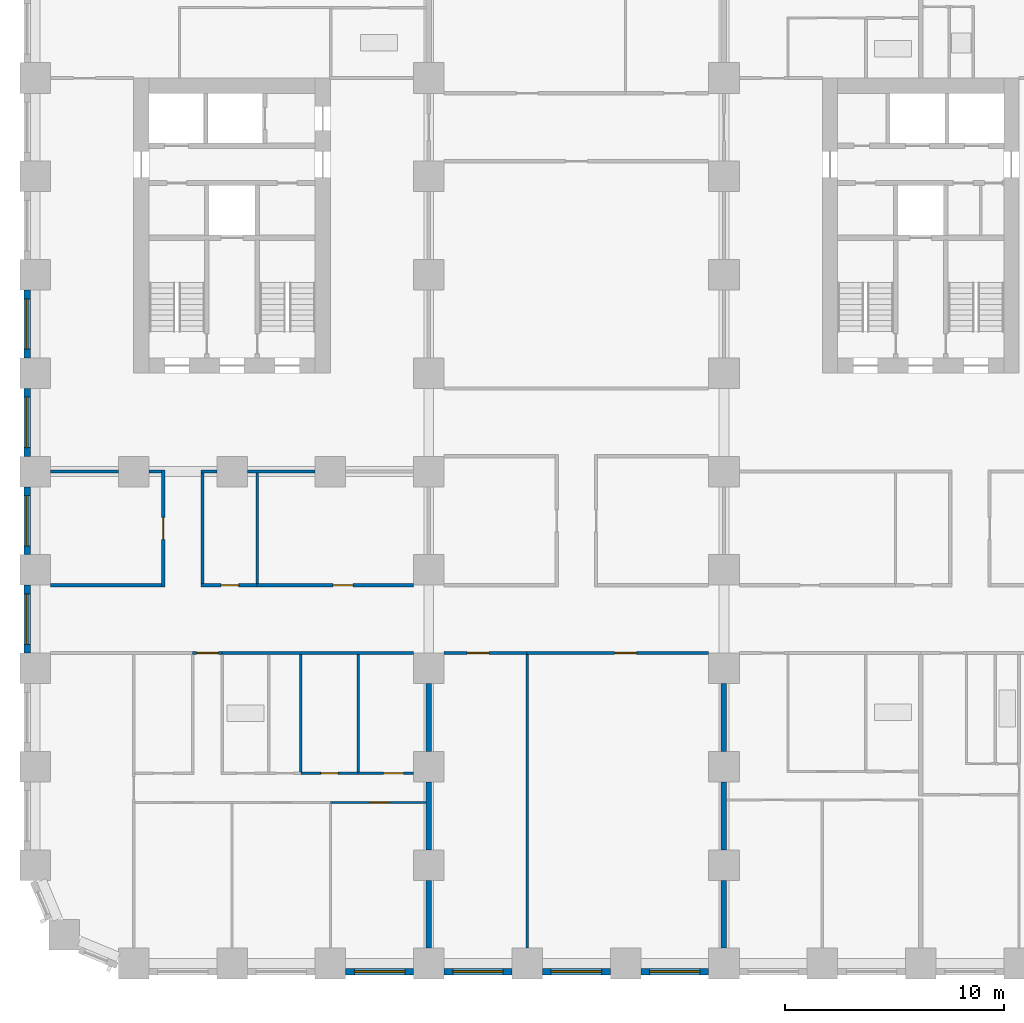
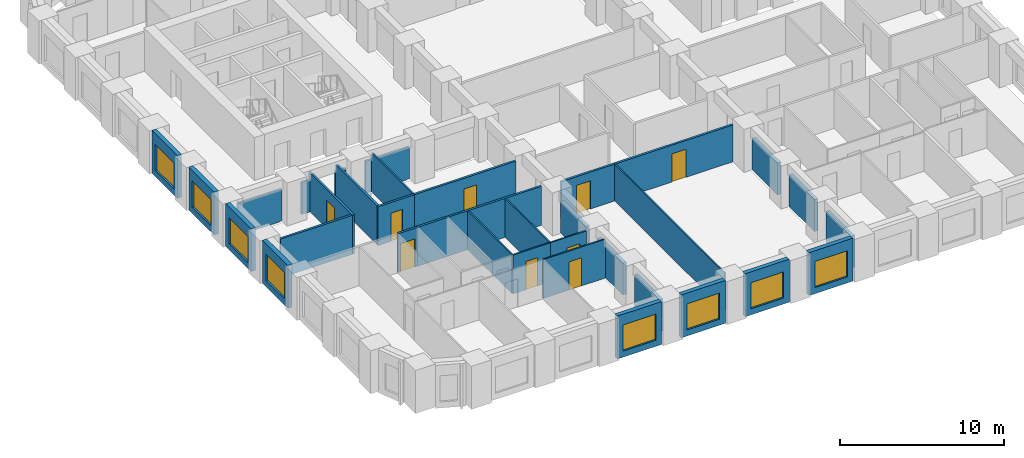
# One storey, part 3 of 12: 34 walls, 9 doors, 8 windows, 17 openings.
"""IFC4 building model written with IfcOpenShell, lengths in metres."""

import ifcopenshell
import ifcopenshell.guid

model = None  # the IFC model being written
_history = None  # IfcOwnerHistory: only IFC2X3 demands one
_inside = {}  # id of a spatial element -> (the spatial element, [elements in it])
_under = {}  # id of a project, library or spatial element -> (it, [spatial elements below it])
_declared = {}  # id of a project -> (the project, [libraries it declares])
_typed = {}  # id of a type object -> (the type object, [elements of that type])
_made_of = {}  # id of a material, layer set ... -> (it, [elements and type objects made of it])


def new_model(schema):
    """Start an empty IFC model of exactly this schema.

    Asked for "IFC4X3", IfcOpenShell would pick the latest addendum, in which some entities
    have other attributes; the version numbers below select the first issue.
    IFC2X3 requires an IfcOwnerHistory on every rooted entity: one is made here for all.
    """
    global model, _history
    if schema == "IFC4X3":
        model = ifcopenshell.file(schema_version=(4, 3, 0, 0))
    else:
        model = ifcopenshell.file(schema=schema)
    _inside.clear()
    _under.clear()
    _declared.clear()
    _typed.clear()
    _made_of.clear()
    _history = None
    if model.schema == "IFC2X3":
        org = make("IfcOrganization", Name="unknown")
        user = make(
            "IfcPersonAndOrganization",
            ThePerson=make("IfcPerson", FamilyName="unknown"),
            TheOrganization=org,
        )
        app = make(
            "IfcApplication",
            ApplicationDeveloper=org,
            Version="unknown",
            ApplicationFullName="unknown",
            ApplicationIdentifier="unknown",
        )
        _history = make(
            "IfcOwnerHistory",
            OwningUser=user,
            OwningApplication=app,
            ChangeAction="ADDED",
            CreationDate=0,
        )
    return model


def make(cls, **values):
    """One entity of the class cls with the attributes given. An attribute that is None is left unset."""
    return model.create_entity(
        cls, **{name: value for name, value in values.items() if value is not None}
    )


def rooted(cls, **values):
    """An entity with a GlobalId (a new one), such as an element, a storey or a relation."""
    return make(cls, GlobalId=ifcopenshell.guid.new(), OwnerHistory=_history, **values)


def si_unit(unit_type, name, prefix=None):
    """IfcSIUnit, for example si_unit("LENGTHUNIT", "METRE", prefix="MILLI")."""
    return make("IfcSIUnit", UnitType=unit_type, Prefix=prefix, Name=name)


def assignment(units):
    """IfcUnitAssignment: the units of a project."""
    return None if units is None else make("IfcUnitAssignment", Units=units)


def point(xyz):
    """IfcCartesianPoint."""
    return None if xyz is None else make("IfcCartesianPoint", Coordinates=xyz)


def direction(xyz):
    """IfcDirection."""
    return None if xyz is None else make("IfcDirection", DirectionRatios=xyz)


def frame(location, z_axis=None, x_axis=None):
    """IfcAxis2Placement3D, a coordinate frame: its origin and axes. An axis left out is left unset."""
    return make(
        "IfcAxis2Placement3D",
        Location=point(location),
        Axis=direction(z_axis),
        RefDirection=direction(x_axis),
    )


def frame_2d(location, x_axis=None):
    """IfcAxis2Placement2D, a coordinate frame in the plane: its origin and x axis."""
    return make(
        "IfcAxis2Placement2D", Location=point(location), RefDirection=direction(x_axis)
    )


def origin():
    """The frame at (0, 0, 0) with its axes left unset."""
    return frame((0.0, 0.0, 0.0))


def place(relative_to, where):
    """IfcLocalPlacement: puts the frame where relative to a parent placement (None: the world)."""
    return make(
        "IfcLocalPlacement", PlacementRelTo=relative_to, RelativePlacement=where
    )


def context(
    kind, dimensions, precision=None, world=None, true_north=None, identifier=None
):
    """IfcGeometricRepresentationContext, for example the 3D "Model" context."""
    return make(
        "IfcGeometricRepresentationContext",
        ContextIdentifier=identifier,
        ContextType=kind,
        CoordinateSpaceDimension=dimensions,
        Precision=precision,
        WorldCoordinateSystem=world,
        TrueNorth=true_north,
    )


def subcontext(parent, identifier, kind, view, scale=None):
    """IfcGeometricRepresentationSubContext, for example "Body" below "Model"."""
    return make(
        "IfcGeometricRepresentationSubContext",
        ContextIdentifier=identifier,
        ContextType=kind,
        ParentContext=parent,
        TargetScale=scale,
        TargetView=view,
    )


def project(units=None, contexts=None):
    """IfcProject with its units and contexts."""
    return rooted(
        "IfcProject",
        Name="project",
        RepresentationContexts=contexts,
        UnitsInContext=assignment(units),
    )


def spatial(cls, under=None, at=None, **own):
    """A site, building, storey or space (cls), placed at a placement, below another one or the project."""
    s = rooted(cls, ObjectPlacement=at, **own)
    if under is not None:
        _under.setdefault(under.id(), (under, []))[1].append(s)
    return s


def profile(cls, at=None, kind="AREA", **sizes):
    """A parametric profile (cls). Its sizes go by their IFC names, for example OverallWidth=200.0."""
    return make(cls, ProfileType=kind, Position=at, **sizes)


def rectangle(**sizes):
    """IfcRectangleProfileDef."""
    return profile("IfcRectangleProfileDef", **sizes)


def extrude(swept, where, along, depth):
    """IfcExtrudedAreaSolid: the profile swept, set in the frame where, extruded along a direction by depth."""
    return make(
        "IfcExtrudedAreaSolid",
        SweptArea=swept,
        Position=where,
        ExtrudedDirection=direction(along),
        Depth=depth,
    )


def shape(context_of_items, identifier, shape_type, items):
    """IfcShapeRepresentation: the items that make up one representation, for example the "Body"."""
    return make(
        "IfcShapeRepresentation",
        ContextOfItems=context_of_items,
        RepresentationIdentifier=identifier,
        RepresentationType=shape_type,
        Items=items,
    )


def material(Name=None, Category=None):
    """IfcMaterial."""
    return make("IfcMaterial", Name=Name, Category=Category)


def layer(
    of_material, thickness, ventilated=None, Name=None, Category=None, Priority=None
):
    """IfcMaterialLayer: one layer of a wall or slab, of a material (None: an air gap)."""
    return make(
        "IfcMaterialLayer",
        Material=of_material,
        LayerThickness=thickness,
        IsVentilated=ventilated,
        Name=Name,
        Category=Category,
        Priority=Priority,
    )


def layer_set(layers, Name=None):
    """IfcMaterialLayerSet."""
    return make("IfcMaterialLayerSet", MaterialLayers=layers, LayerSetName=Name)


def made_of(thing, what):
    """Note that an element or type object is made of a material, layer set ...; save() writes the relation."""
    if what is not None:
        _made_of.setdefault(what.id(), (what, []))[1].append(thing)
    return thing


def type_object(cls, material=None, **own):
    """A type object (cls), such as IfcWallType, which elements share."""
    return made_of(rooted(cls, **own), material)


def element(
    cls,
    number,
    at=None,
    inside=None,
    cuts=None,
    type_object=None,
    material=None,
    context=None,
    identifier="Body",
    shape_type=None,
    held_by="IfcProductDefinitionShape",
    body=None,
    shapes=None,
    **own,
):
    """One element of the class cls, such as IfcWall. Its Tag is "e" and its number.

    at: its placement. inside: the storey or other place that contains it. cuts: it is an
    opening in that element (IfcRelVoidsElement). A single representation is given by context,
    identifier, shape_type and body (its items); several are given by shapes. held_by: the class
    of the entity that holds the representations. save() writes the other relations.
    """
    e = rooted(cls, Tag="e%d" % number, ObjectPlacement=at, **own)
    if body is not None:
        shapes = [shape(context, identifier, shape_type, body)]
    if shapes is not None:
        e.Representation = make(held_by, Representations=shapes)
    if inside is not None:
        _inside.setdefault(inside.id(), (inside, []))[1].append(e)
    if cuts is not None:
        rooted(
            "IfcRelVoidsElement", RelatingBuildingElement=cuts, RelatedOpeningElement=e
        )
    if type_object is not None:
        _typed.setdefault(type_object.id(), (type_object, []))[1].append(e)
    return made_of(e, material)


def fill(opening, filler):
    """IfcRelFillsElement: the door or window that sits in an opening."""
    return rooted(
        "IfcRelFillsElement",
        RelatingOpeningElement=opening,
        RelatedBuildingElement=filler,
    )


def aggregate(whole, parts):
    """IfcRelAggregates: a whole, such as a stair, and the parts it consists of."""
    return rooted("IfcRelAggregates", RelatingObject=whole, RelatedObjects=parts)


def save(model, path):
    """Write the relations noted so far, then the file.

    IfcRelAggregates (storeys below a building ...), IfcRelContainedInSpatialStructure (elements
    in a storey), IfcRelDefinesByType, IfcRelAssociatesMaterial and IfcRelDeclares: one each for
    every whole, place, type object, material and project.
    """
    for whole, parts in _under.values():
        aggregate(whole, parts)
    for where, things in _inside.values():
        rooted(
            "IfcRelContainedInSpatialStructure",
            RelatedElements=things,
            RelatingStructure=where,
        )
    for kind, things in _typed.values():
        rooted("IfcRelDefinesByType", RelatedObjects=things, RelatingType=kind)
    for what, things in _made_of.values():
        rooted("IfcRelAssociatesMaterial", RelatedObjects=things, RelatingMaterial=what)
    for by, libraries in _declared.values():
        rooted("IfcRelDeclares", RelatingContext=by, RelatedDefinitions=libraries)
    model.write(path)


model = new_model("IFC4")

# Units and contexts
model_context = context("Model", 3, precision=1e-05, world=origin(), true_north=direction((0.0, 1.0)))
body_context = subcontext(model_context, "Body", "Model", "MODEL_VIEW")
ifc_project = project(units=[si_unit("LENGTHUNIT", "METRE"), si_unit("AREAUNIT", "SQUARE_METRE"), si_unit("VOLUMEUNIT", "CUBIC_METRE"), si_unit("PLANEANGLEUNIT", "RADIAN"), si_unit("MASSUNIT", "GRAM", prefix="KILO")], contexts=[model_context])

# Site, building, storey
site_placement = place(None, origin())
site = spatial("IfcSite", under=ifc_project, at=site_placement, CompositionType="ELEMENT")
building_placement = place(site_placement, origin())
building = spatial("IfcBuilding", under=site, at=building_placement, Name="Girih Gate Residences", CompositionType="ELEMENT")
storey_placement = place(building_placement, frame((0.0, 0.0, 65.60009765625)))
storey = spatial("IfcBuildingStorey", under=building, at=storey_placement, Name="L17", CompositionType="ELEMENT", Elevation=65.60009765625)

# Walls
ifc_material_1 = material(Name="Gypsum board on steel studs", Category="steel")
ifc_layer_1 = layer(ifc_material_1, 0.25)
ifc_layer_set_1 = layer_set([ifc_layer_1], Name="Acoustic separating wall 250 mm")
wall_type_1 = type_object("IfcWallType", Name="Acoustic separating wall 250 mm", PredefinedType="PARTITIONING", material=ifc_layer_set_1)
for number, where, z_axis, x_axis, name in (
    (1, (18.0, 5.199951171875, 0.0), (0.0, 0.0, 1.0), (0.0, 1.0, 0.0), "L17 partition"),
    (2, (18.0, 0.699951171875, 0.0), (0.0, 0.0, 1.0), (0.0, 1.0, 0.0), "L17 partition"),
    (3, (18.0, 9.699951171875, 0.0), (0.0, 0.0, 1.0), (0.0, 1.0, 0.0), "L17 partition"),
    (4, (31.5, 9.699951171875, 0.0), (0.0, 0.0, 1.0), (0.0, 1.0, 0.0), "L17 partition"),
    (5, (31.5, 0.699951171875, 0.0), (0.0, 0.0, 1.0), (0.0, 1.0, 0.0), "L17 partition"),
    (6, (31.5, 5.199951171875, 0.0), (0.0, 0.0, 1.0), (0.0, 1.0, 0.0), "L17 partition"),
):
    element("IfcWall", number, at=place(storey_placement, frame(where, z_axis=z_axis, x_axis=x_axis)), inside=storey, type_object=wall_type_1, Name=name, PredefinedType="PARTITIONING", context=body_context, shape_type="SweptSolid", body=[
        extrude(rectangle(XDim=3.10009765625, YDim=0.25, at=frame_2d((1.550048828125, 0.0))), origin(), (0.0, 0.0, 1.0), 2.3798828125),
    ])
ifc_layer_2 = layer(ifc_material_1, 0.14990234375)
ifc_layer_set_2 = layer_set([ifc_layer_2], Name="Compartment wall 150 mm")
wall_type_2 = type_object("IfcWallType", Name="Compartment wall 150 mm", PredefinedType="PARTITIONING", material=ifc_layer_set_2)
wall_1_placement = place(storey_placement, frame((8.550048828125, 14.199951171875, 0.0), z_axis=(0.0, 0.0, 1.0), x_axis=(1.0, 0.0, 0.0)))
element("IfcWall", 7, at=wall_1_placement, inside=storey, type_object=wall_type_2, Name="L17 partition", PredefinedType="PARTITIONING", context=body_context, shape_type="SweptSolid", body=[
    extrude(rectangle(XDim=8.75, YDim=0.14990234375, at=frame_2d((4.375, 0.0))), origin(), (0.0, 0.0, 1.0), 2.89990234375),
])

# Wall, opening, door
wall_2_placement = place(storey_placement, frame((8.550048828125, 14.199951171875, 0.0), z_axis=(0.0, 0.0, 1.0), x_axis=(-1.0, 0.0, 0.0)))
wall_2 = element("IfcWall", 8, at=wall_2_placement, inside=storey, type_object=wall_type_2, Name="L17 partition", PredefinedType="PARTITIONING", context=body_context, shape_type="SweptSolid", body=[
    extrude(rectangle(XDim=1.35009765625, YDim=0.14990234375, at=frame_2d((0.675048828125, 0.0))), origin(), (0.0, 0.0, 1.0), 2.89990234375),
])
opening_1_placement = place(wall_2_placement, frame((0.175048828125, 0.0, 0.0)))
opening_1 = element("IfcOpeningElement", 9, at=opening_1_placement, cuts=wall_2, Name="Opening A17-010", PredefinedType="OPENING", context=body_context, shape_type="SweptSolid", body=[
    extrude(rectangle(XDim=1.0, YDim=2.10009765625, at=frame_2d((0.5, 1.050048828125))), frame((0.0, 0.0849609375, 0.0), z_axis=(0.0, -1.0, 0.0), x_axis=(1.0, 0.0, 0.0)), (0.0, 0.0, 1.0), 0.169921875),
])
ifc_material_2 = material(Name="Timber, fire-rated core", Category="wood")
door_type_1 = type_object("IfcDoorType", Name="Flat entrance door 1000x2100 FD30S", OperationType="NOTDEFINED", PredefinedType="DOOR", material=ifc_material_2)
door_1_placement = place(opening_1_placement, origin())
door_1 = element("IfcDoor", 10, at=door_1_placement, inside=storey, type_object=door_type_1, Name="Door A17-010", OperationType="SINGLE_SWING_RIGHT", OverallHeight=2.10009765625, OverallWidth=1.0, PredefinedType="DOOR", context=body_context, shape_type="SweptSolid", body=[
    extrude(rectangle(XDim=1.0, YDim=2.10009765625, at=frame_2d((0.5, 1.050048828125))), frame((0.0, 0.02490234375, 0.0), z_axis=(0.0, -1.0, 0.0), x_axis=(1.0, 0.0, 0.0)), (0.0, 0.0, 1.0), 0.050048828125),
])
fill(opening_1, door_1)

wall_3_placement = place(storey_placement, frame((22.5, 14.199951171875, 0.0), z_axis=(0.0, 0.0, 1.0), x_axis=(-1.0, 0.0, 0.0)))
wall_3 = element("IfcWall", 11, at=wall_3_placement, inside=storey, type_object=wall_type_2, Name="L17 partition", PredefinedType="PARTITIONING", context=body_context, shape_type="SweptSolid", body=[
    extrude(rectangle(XDim=3.800048828125, YDim=0.14990234375, at=frame_2d((1.89990234375, 0.0))), origin(), (0.0, 0.0, 1.0), 2.75),
])
opening_2_placement = place(wall_3_placement, frame((1.75, 0.0, 0.0)))
opening_2 = element("IfcOpeningElement", 12, at=opening_2_placement, cuts=wall_3, Name="Opening A17-043", PredefinedType="OPENING", context=body_context, shape_type="SweptSolid", body=[
    extrude(rectangle(XDim=1.0, YDim=2.10009765625, at=frame_2d((0.5, 1.050048828125))), frame((0.0, 0.0849609375, 0.0), z_axis=(0.0, -1.0, 0.0), x_axis=(1.0, 0.0, 0.0)), (0.0, 0.0, 1.0), 0.169921875),
])
door_type_2 = type_object("IfcDoorType", Name="Amenity room door 1000x2100 FD30S", OperationType="NOTDEFINED", PredefinedType="DOOR", material=ifc_material_2)
door_2_placement = place(opening_2_placement, origin())
door_2 = element("IfcDoor", 13, at=door_2_placement, inside=storey, type_object=door_type_2, Name="Door A17-043", OperationType="SINGLE_SWING_RIGHT", OverallHeight=2.10009765625, OverallWidth=1.0, PredefinedType="DOOR", context=body_context, shape_type="SweptSolid", body=[
    extrude(rectangle(XDim=1.0, YDim=2.10009765625, at=frame_2d((0.5, 1.050048828125))), frame((0.0, 0.02490234375, 0.0), z_axis=(0.0, -1.0, 0.0), x_axis=(1.0, 0.0, 0.0)), (0.0, 0.0, 1.0), 0.050048828125),
])
fill(opening_2, door_2)

wall_4_placement = place(storey_placement, frame((30.800048828125, 14.199951171875, 0.0), z_axis=(0.0, 0.0, 1.0), x_axis=(-1.0, 0.0, 0.0)))
wall_4 = element("IfcWall", 14, at=wall_4_placement, inside=storey, type_object=wall_type_2, Name="L17 partition", PredefinedType="PARTITIONING", context=body_context, shape_type="SweptSolid", body=[
    extrude(rectangle(XDim=8.300048828125, YDim=0.14990234375, at=frame_2d((4.14990234375, 0.0))), origin(), (0.0, 0.0, 1.0), 2.75),
])
opening_3_placement = place(wall_4_placement, frame((3.300048828125, 0.0, 0.0)))
opening_3 = element("IfcOpeningElement", 15, at=opening_3_placement, cuts=wall_4, Name="Opening A17-044", PredefinedType="OPENING", context=body_context, shape_type="SweptSolid", body=[
    extrude(rectangle(XDim=1.0, YDim=2.10009765625, at=frame_2d((0.5, 1.050048828125))), frame((0.0, 0.0849609375, 0.0), z_axis=(0.0, -1.0, 0.0), x_axis=(1.0, 0.0, 0.0)), (0.0, 0.0, 1.0), 0.169921875),
])
door_3_placement = place(opening_3_placement, origin())
door_3 = element("IfcDoor", 16, at=door_3_placement, inside=storey, type_object=door_type_2, Name="Door A17-044", OperationType="SINGLE_SWING_LEFT", OverallHeight=2.10009765625, OverallWidth=1.0, PredefinedType="DOOR", context=body_context, shape_type="SweptSolid", body=[
    extrude(rectangle(XDim=1.0, YDim=2.10009765625, at=frame_2d((0.5, 1.050048828125))), frame((0.0, 0.02490234375, 0.0), z_axis=(0.0, -1.0, 0.0), x_axis=(1.0, 0.0, 0.0)), (0.0, 0.0, 1.0), 0.050048828125),
])
fill(opening_3, door_3)

wall_5_placement = place(storey_placement, frame((10.14990234375, 17.300048828125, 0.0), z_axis=(0.0, 0.0, 1.0), x_axis=(1.0, 0.0, 0.0)))
wall_5 = element("IfcWall", 17, at=wall_5_placement, inside=storey, type_object=wall_type_2, Name="L17 partition", PredefinedType="PARTITIONING", context=body_context, shape_type="SweptSolid", body=[
    extrude(rectangle(XDim=7.150146484375, YDim=0.14990234375, at=frame_2d((3.5751953125, 0.0))), origin(), (0.0, 0.0, 1.0), 2.89990234375),
])
opening_4_placement = place(wall_5_placement, frame((3.47509765625, 0.0, 0.0)))
opening_4 = element("IfcOpeningElement", 18, at=opening_4_placement, cuts=wall_5, Name="Opening A17-048", PredefinedType="OPENING", context=body_context, shape_type="SweptSolid", body=[
    extrude(rectangle(XDim=0.89990234375, YDim=2.10009765625, at=frame_2d((0.449951171875, 1.050048828125))), frame((0.0, 0.0849609375, 0.0), z_axis=(0.0, -1.0, 0.0), x_axis=(1.0, 0.0, 0.0)), (0.0, 0.0, 1.0), 0.169921875),
])
ifc_material_3 = material(Name="Timber", Category="wood")
door_type_3 = type_object("IfcDoorType", Name="Service room door 900x2100", OperationType="NOTDEFINED", PredefinedType="DOOR", material=ifc_material_3)
door_4_placement = place(opening_4_placement, origin())
door_4 = element("IfcDoor", 19, at=door_4_placement, inside=storey, type_object=door_type_3, Name="Door A17-048", OperationType="SINGLE_SWING_RIGHT", OverallHeight=2.10009765625, OverallWidth=0.89990234375, PredefinedType="DOOR", context=body_context, shape_type="SweptSolid", body=[
    extrude(rectangle(XDim=0.89990234375, YDim=2.10009765625, at=frame_2d((0.449951171875, 1.050048828125))), frame((0.0, 0.02490234375, 0.0), z_axis=(0.0, -1.0, 0.0), x_axis=(1.0, 0.0, 0.0)), (0.0, 0.0, 1.0), 0.050048828125),
])
fill(opening_4, door_4)

wall_6_placement = place(storey_placement, frame((7.574951171875, 17.300048828125, 0.0), z_axis=(0.0, 0.0, 1.0), x_axis=(1.0, 0.0, 0.0)))
wall_6 = element("IfcWall", 20, at=wall_6_placement, inside=storey, type_object=wall_type_2, Name="L17 partition", PredefinedType="PARTITIONING", context=body_context, shape_type="SweptSolid", body=[
    extrude(rectangle(XDim=2.574951171875, YDim=0.14990234375, at=frame_2d((1.28759765625, 0.0))), origin(), (0.0, 0.0, 1.0), 2.89990234375),
])
opening_5_placement = place(wall_6_placement, frame((0.925048828125, 0.0, 0.0)))
opening_5 = element("IfcOpeningElement", 21, at=opening_5_placement, cuts=wall_6, Name="Opening A17-050", PredefinedType="OPENING", context=body_context, shape_type="SweptSolid", body=[
    extrude(rectangle(XDim=0.800048828125, YDim=2.10009765625, at=frame_2d((0.39990234375, 1.050048828125))), frame((0.0, 0.0849609375, 0.0), z_axis=(0.0, -1.0, 0.0), x_axis=(1.0, 0.0, 0.0)), (0.0, 0.0, 1.0), 0.169921875),
])
door_type_4 = type_object("IfcDoorType", Name="Bathroom door 800x2100", OperationType="NOTDEFINED", PredefinedType="DOOR", material=ifc_material_3)
door_5_placement = place(opening_5_placement, origin())
door_5 = element("IfcDoor", 22, at=door_5_placement, inside=storey, type_object=door_type_4, Name="Door A17-050", OperationType="SINGLE_SWING_RIGHT", OverallHeight=2.10009765625, OverallWidth=0.800048828125, PredefinedType="DOOR", context=body_context, shape_type="SweptSolid", body=[
    extrude(rectangle(XDim=0.800048828125, YDim=2.10009765625, at=frame_2d((0.39990234375, 1.050048828125))), frame((0.0, 0.02490234375, 0.0), z_axis=(0.0, -1.0, 0.0), x_axis=(1.0, 0.0, 0.0)), (0.0, 0.0, 1.0), 0.050048828125),
])
fill(opening_5, door_5)

# Walls
wall_7_placement = place(storey_placement, frame((0.699951171875, 17.300048828125, 0.0), z_axis=(0.0, 0.0, 1.0), x_axis=(1.0, 0.0, 0.0)))
element("IfcWall", 23, at=wall_7_placement, inside=storey, type_object=wall_type_2, Name="L17 partition", PredefinedType="PARTITIONING", context=body_context, shape_type="SweptSolid", body=[
    extrude(rectangle(XDim=5.074951171875, YDim=0.14990234375, at=frame_2d((2.53759765625, 0.0))), origin(), (0.0, 0.0, 1.0), 2.89990234375),
])
wall_8_placement = place(storey_placement, frame((9.699951171875, 22.5, 0.0), z_axis=(0.0, 0.0, 1.0), x_axis=(1.0, 0.0, 0.0)))
element("IfcWall", 24, at=wall_8_placement, inside=storey, type_object=wall_type_2, Name="L17 partition", PredefinedType="PARTITIONING", context=body_context, shape_type="SweptSolid", body=[
    extrude(rectangle(XDim=3.10009765625, YDim=0.14990234375, at=frame_2d((1.550048828125, 0.0))), origin(), (0.0, 0.0, 1.0), 2.3798828125),
])
wall_9_placement = place(storey_placement, frame((7.574951171875, 22.5, 0.0), z_axis=(0.0, 0.0, 1.0), x_axis=(1.0, 0.0, 0.0)))
element("IfcWall", 25, at=wall_9_placement, inside=storey, type_object=wall_type_2, Name="L17 partition", PredefinedType="PARTITIONING", context=body_context, shape_type="SweptSolid", body=[
    extrude(rectangle(XDim=0.72509765625, YDim=0.14990234375, at=frame_2d((0.362548828125, 0.0))), origin(), (0.0, 0.0, 1.0), 2.3798828125),
])
wall_10_placement = place(storey_placement, frame((5.199951171875, 22.5, 0.0), z_axis=(0.0, 0.0, 1.0), x_axis=(1.0, 0.0, 0.0)))
element("IfcWall", 26, at=wall_10_placement, inside=storey, type_object=wall_type_2, Name="L17 partition", PredefinedType="PARTITIONING", context=body_context, shape_type="SweptSolid", body=[
    extrude(rectangle(XDim=0.574951171875, YDim=0.14990234375, at=frame_2d((0.28759765625, 0.0))), origin(), (0.0, 0.0, 1.0), 2.3798828125),
])
wall_11_placement = place(storey_placement, frame((0.699951171875, 22.5, 0.0), z_axis=(0.0, 0.0, 1.0), x_axis=(1.0, 0.0, 0.0)))
element("IfcWall", 27, at=wall_11_placement, inside=storey, type_object=wall_type_2, Name="L17 partition", PredefinedType="PARTITIONING", context=body_context, shape_type="SweptSolid", body=[
    extrude(rectangle(XDim=3.10009765625, YDim=0.14990234375, at=frame_2d((1.550048828125, 0.0))), origin(), (0.0, 0.0, 1.0), 2.3798828125),
])
wall_12_placement = place(storey_placement, frame((7.64990234375, 17.375, 0.0), z_axis=(0.0, 0.0, 1.0), x_axis=(0.0, 1.0, 0.0)))
element("IfcWall", 28, at=wall_12_placement, inside=storey, type_object=wall_type_2, Name="L17 partition", PredefinedType="PARTITIONING", context=body_context, shape_type="SweptSolid", body=[
    extrude(rectangle(XDim=5.050048828125, YDim=0.14990234375, at=frame_2d((2.52490234375, 0.0))), origin(), (0.0, 0.0, 1.0), 2.89990234375),
])

# Wall, opening, door
wall_13_placement = place(storey_placement, frame((5.85009765625, 17.22509765625, 0.0), z_axis=(0.0, 0.0, 1.0), x_axis=(0.0, 1.0, 0.0)))
wall_13 = element("IfcWall", 29, at=wall_13_placement, inside=storey, type_object=wall_type_2, Name="L17 partition", PredefinedType="PARTITIONING", context=body_context, shape_type="SweptSolid", body=[
    extrude(rectangle(XDim=5.349853515625, YDim=0.14990234375, at=frame_2d((2.6748046875, 0.0))), origin(), (0.0, 0.0, 1.0), 2.89990234375),
])
opening_6_placement = place(wall_13_placement, frame((2.175048828125, 0.0, 0.0)))
opening_6 = element("IfcOpeningElement", 30, at=opening_6_placement, cuts=wall_13, Name="Opening A17-052", PredefinedType="OPENING", context=body_context, shape_type="SweptSolid", body=[
    extrude(rectangle(XDim=1.0, YDim=2.10009765625, at=frame_2d((0.5, 1.050048828125))), frame((0.0, 0.0849609375, 0.0), z_axis=(0.0, -1.0, 0.0), x_axis=(1.0, 0.0, 0.0)), (0.0, 0.0, 1.0), 0.169921875),
])
door_6_placement = place(opening_6_placement, origin())
door_6 = element("IfcDoor", 31, at=door_6_placement, inside=storey, type_object=door_type_2, Name="Door A17-052", OperationType="SINGLE_SWING_LEFT", OverallHeight=2.10009765625, OverallWidth=1.0, PredefinedType="DOOR", context=body_context, shape_type="SweptSolid", body=[
    extrude(rectangle(XDim=1.0, YDim=2.10009765625, at=frame_2d((0.5, 1.050048828125))), frame((0.0, 0.02490234375, 0.0), z_axis=(0.0, -1.0, 0.0), x_axis=(1.0, 0.0, 0.0)), (0.0, 0.0, 1.0), 0.050048828125),
])
fill(opening_6, door_6)

ifc_layer_3 = layer(ifc_material_1, 0.10009765625)
ifc_layer_set_3 = layer_set([ifc_layer_3], Name="Partition 100 mm")
wall_type_3 = type_object("IfcWallType", Name="Partition 100 mm", PredefinedType="PARTITIONING", material=ifc_layer_set_3)
wall_14_placement = place(storey_placement, frame((17.875, 7.360107421875, 0.0), z_axis=(0.0, 0.0, 1.0), x_axis=(-1.0, 0.0, 0.0)))
wall_14 = element("IfcWall", 32, at=wall_14_placement, inside=storey, type_object=wall_type_3, Name="L17 partition", PredefinedType="PARTITIONING", context=body_context, shape_type="SweptSolid", body=[
    extrude(rectangle(XDim=4.375, YDim=0.10009765625, at=frame_2d((2.1875, 0.0))), origin(), (0.0, 0.0, 1.0), 2.89990234375),
])
opening_7_placement = place(wall_14_placement, frame((1.675048828125, 0.0, 0.0)))
opening_7 = element("IfcOpeningElement", 33, at=opening_7_placement, cuts=wall_14, Name="Opening A17-004", PredefinedType="OPENING", context=body_context, shape_type="SweptSolid", body=[
    extrude(rectangle(XDim=0.89990234375, YDim=2.10009765625, at=frame_2d((0.449951171875, 1.050048828125))), frame((0.0, 0.06005859375, 0.0), z_axis=(0.0, -1.0, 0.0), x_axis=(1.0, 0.0, 0.0)), (0.0, 0.0, 1.0), 0.1201171875),
])
door_type_5 = type_object("IfcDoorType", Name="Bedroom door 900x2100", OperationType="NOTDEFINED", PredefinedType="DOOR", material=ifc_material_3)
door_7_placement = place(opening_7_placement, origin())
door_7 = element("IfcDoor", 34, at=door_7_placement, inside=storey, type_object=door_type_5, Name="Door A17-004", OperationType="SINGLE_SWING_LEFT", OverallHeight=2.10009765625, OverallWidth=0.89990234375, PredefinedType="DOOR", context=body_context, shape_type="SweptSolid", body=[
    extrude(rectangle(XDim=0.89990234375, YDim=2.10009765625, at=frame_2d((0.449951171875, 1.050048828125))), frame((0.0, 0.02490234375, 0.0), z_axis=(0.0, -1.0, 0.0), x_axis=(1.0, 0.0, 0.0)), (0.0, 0.0, 1.0), 0.050048828125),
])
fill(opening_7, door_7)

wall_15_placement = place(storey_placement, frame((12.143310546875, 8.699951171875, 0.0), z_axis=(0.0, 0.0, 1.0), x_axis=(1.0, 0.0, 0.0)))
wall_15 = element("IfcWall", 35, at=wall_15_placement, inside=storey, type_object=wall_type_3, Name="L17 partition", PredefinedType="PARTITIONING", context=body_context, shape_type="SweptSolid", body=[
    extrude(rectangle(XDim=2.627685546875, YDim=0.10009765625, at=frame_2d((1.31396484375, 0.0))), origin(), (0.0, 0.0, 1.0), 2.89990234375),
])
opening_8_placement = place(wall_15_placement, frame((0.913818359375, 0.0, 0.0)))
opening_8 = element("IfcOpeningElement", 36, at=opening_8_placement, cuts=wall_15, Name="Opening A17-005", PredefinedType="OPENING", context=body_context, shape_type="SweptSolid", body=[
    extrude(rectangle(XDim=0.800048828125, YDim=2.10009765625, at=frame_2d((0.39990234375, 1.050048828125))), frame((0.0, 0.06005859375, 0.0), z_axis=(0.0, -1.0, 0.0), x_axis=(1.0, 0.0, 0.0)), (0.0, 0.0, 1.0), 0.1201171875),
])
door_type_6 = type_object("IfcDoorType", Name="Store door 800x2100", OperationType="NOTDEFINED", PredefinedType="DOOR", material=ifc_material_3)
door_8_placement = place(opening_8_placement, origin())
door_8 = element("IfcDoor", 37, at=door_8_placement, inside=storey, type_object=door_type_6, Name="Door A17-005", OperationType="SINGLE_SWING_LEFT", OverallHeight=2.10009765625, OverallWidth=0.800048828125, PredefinedType="DOOR", context=body_context, shape_type="SweptSolid", body=[
    extrude(rectangle(XDim=0.800048828125, YDim=2.10009765625, at=frame_2d((0.39990234375, 1.050048828125))), frame((0.0, 0.02490234375, 0.0), z_axis=(0.0, -1.0, 0.0), x_axis=(1.0, 0.0, 0.0)), (0.0, 0.0, 1.0), 0.050048828125),
])
fill(opening_8, door_8)

# Walls
for number, where, z_axis, x_axis, name in (
    (38, (12.14306640625, 8.75, 0.0), (0.0, 0.0, 1.0), (0.0, 1.0, 0.0), "L17 partition"),
    (39, (14.77099609375, 8.75, 0.0), (0.0, 0.0, 1.0), (0.0, 1.0, 0.0), "L17 partition"),
):
    element("IfcWall", number, at=place(storey_placement, frame(where, z_axis=z_axis, x_axis=x_axis)), inside=storey, type_object=wall_type_3, Name=name, PredefinedType="PARTITIONING", context=body_context, shape_type="SweptSolid", body=[
        extrude(rectangle(XDim=5.375, YDim=0.10009765625, at=frame_2d((2.6875, 0.0))), origin(), (0.0, 0.0, 1.0), 2.89990234375),
    ])

# Wall, opening, door
wall_16_placement = place(storey_placement, frame((14.77099609375, 8.699951171875, 0.0), z_axis=(0.0, 0.0, 1.0), x_axis=(1.0, 0.0, 0.0)))
wall_16 = element("IfcWall", 40, at=wall_16_placement, inside=storey, type_object=wall_type_3, Name="L17 partition", PredefinedType="PARTITIONING", context=body_context, shape_type="SweptSolid", body=[
    extrude(rectangle(XDim=2.529052734375, YDim=0.10009765625, at=frame_2d((1.2646484375, 0.0))), origin(), (0.0, 0.0, 1.0), 2.89990234375),
])
opening_9_placement = place(wall_16_placement, frame((1.16455078125, 0.0, 0.0)))
opening_9 = element("IfcOpeningElement", 41, at=opening_9_placement, cuts=wall_16, Name="Opening A17-009", PredefinedType="OPENING", context=body_context, shape_type="SweptSolid", body=[
    extrude(rectangle(XDim=0.89990234375, YDim=2.10009765625, at=frame_2d((0.449951171875, 1.050048828125))), frame((0.0, 0.06005859375, 0.0), z_axis=(0.0, -1.0, 0.0), x_axis=(1.0, 0.0, 0.0)), (0.0, 0.0, 1.0), 0.1201171875),
])
door_9_placement = place(opening_9_placement, origin())
door_9 = element("IfcDoor", 42, at=door_9_placement, inside=storey, type_object=door_type_5, Name="Door A17-009", OperationType="SINGLE_SWING_RIGHT", OverallHeight=2.10009765625, OverallWidth=0.89990234375, PredefinedType="DOOR", context=body_context, shape_type="SweptSolid", body=[
    extrude(rectangle(XDim=0.89990234375, YDim=2.10009765625, at=frame_2d((0.449951171875, 1.050048828125))), frame((0.0, 0.02490234375, 0.0), z_axis=(0.0, -1.0, 0.0), x_axis=(1.0, 0.0, 0.0)), (0.0, 0.0, 1.0), 0.050048828125),
])
fill(opening_9, door_9)

# Walls
wall_17_placement = place(storey_placement, frame((22.5, 0.699951171875, 0.0), z_axis=(0.0, 0.0, 1.0), x_axis=(0.0, 1.0, 0.0)))
element("IfcWall", 43, at=wall_17_placement, inside=storey, type_object=wall_type_3, Name="L17 partition", PredefinedType="PARTITIONING", context=body_context, shape_type="SweptSolid", body=[
    extrude(rectangle(XDim=13.425048828125, YDim=0.10009765625, at=frame_2d((6.71240234375, 0.0))), origin(), (0.0, 0.0, 1.0), 2.75),
])
wall_18_placement = place(storey_placement, frame((10.14990234375, 17.375, 0.0), z_axis=(0.0, 0.0, 1.0), x_axis=(0.0, 1.0, 0.0)))
element("IfcWall", 44, at=wall_18_placement, inside=storey, type_object=wall_type_3, Name="L17 partition", PredefinedType="PARTITIONING", context=body_context, shape_type="SweptSolid", body=[
    extrude(rectangle(XDim=5.050048828125, YDim=0.10009765625, at=frame_2d((2.52490234375, 0.0))), origin(), (0.0, 0.0, 1.0), 2.89990234375),
])

# Wall, opening, window
ifc_material_4 = material(Name="Precast concrete C50/60", Category="concrete")
ifc_layer_4 = layer(ifc_material_4, 0.080078125, Name="Outer leaf")
ifc_material_5 = material(Name="Rigid PIR insulation")
ifc_layer_5 = layer(ifc_material_5, 0.14990234375, Name="Insulation")
ifc_material_6 = material(Name="Precast concrete C40/50", Category="concrete")
ifc_layer_6 = layer(ifc_material_6, 0.070068359375, Name="Inner leaf")
ifc_layer_set_4 = layer_set([ifc_layer_4, ifc_layer_5, ifc_layer_6], Name="Precast concrete C50/60 external wall 300")
wall_type_4 = type_object("IfcWallType", Name="Precast concrete C50/60 external wall 300", PredefinedType="SOLIDWALL", material=ifc_layer_set_4)
wall_19_placement = place(storey_placement, frame((17.300048828125, -0.375, 0.0), z_axis=(0.0, 0.0, 1.0), x_axis=(-1.0, 0.0, 0.0)))
wall_19 = element("IfcWall", 45, at=wall_19_placement, inside=storey, type_object=wall_type_4, Name="External wall S0045_0000.2", PredefinedType="SOLIDWALL", context=body_context, shape_type="SweptSolid", body=[
    extrude(rectangle(XDim=3.10009765625, YDim=0.300048828125, at=frame_2d((1.550048828125, 0.0))), origin(), (0.0, 0.0, 1.0), 3.199951171875),
])
opening_10_placement = place(wall_19_placement, frame((0.39990234375, 0.0, 0.449951171875)))
opening_10 = element("IfcOpeningElement", 46, at=opening_10_placement, cuts=wall_19, Name="Opening W-1", PredefinedType="OPENING", context=body_context, shape_type="SweptSolid", body=[
    extrude(rectangle(XDim=2.300048828125, YDim=1.949951171875, at=frame_2d((1.14990234375, 0.97509765625))), frame((0.0, 0.159912109375, 0.0), z_axis=(0.0, -1.0, 0.0), x_axis=(1.0, 0.0, 0.0)), (0.0, 0.0, 1.0), 0.320068359375),
])
ifc_material_7 = material(Name="Double glazing in aluminium frame", Category="aluminium")
window_type = type_object("IfcWindowType", Name="Window W-1 2300x1950", PartitioningType="SINGLE_PANEL", PredefinedType="WINDOW", material=ifc_material_7)
window_1_placement = place(opening_10_placement, origin())
window_1 = element("IfcWindow", 47, at=window_1_placement, inside=storey, type_object=window_type, Name="Window W-1 S0045_0000.2", OverallHeight=1.949951171875, OverallWidth=2.300048828125, PartitioningType="SINGLE_PANEL", PredefinedType="WINDOW", context=body_context, shape_type="SweptSolid", body=[
    extrude(rectangle(XDim=2.300048828125, YDim=1.949951171875, at=frame_2d((1.14990234375, 0.97509765625))), frame((0.0, 0.030029296875, 0.0), z_axis=(0.0, -1.0, 0.0), x_axis=(1.0, 0.0, 0.0)), (0.0, 0.0, 1.0), 0.06005859375),
])
fill(opening_10, window_1)

wall_20_placement = place(storey_placement, frame((21.800048828125, -0.375, 0.0), z_axis=(0.0, 0.0, 1.0), x_axis=(-1.0, 0.0, 0.0)))
wall_20 = element("IfcWall", 48, at=wall_20_placement, inside=storey, type_object=wall_type_4, Name="External wall S0045_0000.3", PredefinedType="SOLIDWALL", context=body_context, shape_type="SweptSolid", body=[
    extrude(rectangle(XDim=3.10009765625, YDim=0.300048828125, at=frame_2d((1.550048828125, 0.0))), origin(), (0.0, 0.0, 1.0), 3.199951171875),
])
opening_11_placement = place(wall_20_placement, frame((0.39990234375, 0.0, 0.449951171875)))
opening_11 = element("IfcOpeningElement", 49, at=opening_11_placement, cuts=wall_20, Name="Opening W-1", PredefinedType="OPENING", context=body_context, shape_type="SweptSolid", body=[
    extrude(rectangle(XDim=2.300048828125, YDim=1.949951171875, at=frame_2d((1.14990234375, 0.97509765625))), frame((0.0, 0.159912109375, 0.0), z_axis=(0.0, -1.0, 0.0), x_axis=(1.0, 0.0, 0.0)), (0.0, 0.0, 1.0), 0.320068359375),
])
window_2_placement = place(opening_11_placement, origin())
window_2 = element("IfcWindow", 50, at=window_2_placement, inside=storey, type_object=window_type, Name="Window W-1 S0045_0000.3", OverallHeight=1.949951171875, OverallWidth=2.300048828125, PartitioningType="SINGLE_PANEL", PredefinedType="WINDOW", context=body_context, shape_type="SweptSolid", body=[
    extrude(rectangle(XDim=2.300048828125, YDim=1.949951171875, at=frame_2d((1.14990234375, 0.97509765625))), frame((0.0, 0.030029296875, 0.0), z_axis=(0.0, -1.0, 0.0), x_axis=(1.0, 0.0, 0.0)), (0.0, 0.0, 1.0), 0.06005859375),
])
fill(opening_11, window_2)

wall_21_placement = place(storey_placement, frame((26.300048828125, -0.375, 0.0), z_axis=(0.0, 0.0, 1.0), x_axis=(-1.0, 0.0, 0.0)))
wall_21 = element("IfcWall", 51, at=wall_21_placement, inside=storey, type_object=wall_type_4, Name="External wall S0045_0000.4", PredefinedType="SOLIDWALL", context=body_context, shape_type="SweptSolid", body=[
    extrude(rectangle(XDim=3.10009765625, YDim=0.300048828125, at=frame_2d((1.550048828125, 0.0))), origin(), (0.0, 0.0, 1.0), 3.199951171875),
])
opening_12_placement = place(wall_21_placement, frame((0.39990234375, 0.0, 0.449951171875)))
opening_12 = element("IfcOpeningElement", 52, at=opening_12_placement, cuts=wall_21, Name="Opening W-1", PredefinedType="OPENING", context=body_context, shape_type="SweptSolid", body=[
    extrude(rectangle(XDim=2.300048828125, YDim=1.949951171875, at=frame_2d((1.14990234375, 0.97509765625))), frame((0.0, 0.159912109375, 0.0), z_axis=(0.0, -1.0, 0.0), x_axis=(1.0, 0.0, 0.0)), (0.0, 0.0, 1.0), 0.320068359375),
])
window_3_placement = place(opening_12_placement, origin())
window_3 = element("IfcWindow", 53, at=window_3_placement, inside=storey, type_object=window_type, Name="Window W-1 S0045_0000.4", OverallHeight=1.949951171875, OverallWidth=2.300048828125, PartitioningType="SINGLE_PANEL", PredefinedType="WINDOW", context=body_context, shape_type="SweptSolid", body=[
    extrude(rectangle(XDim=2.300048828125, YDim=1.949951171875, at=frame_2d((1.14990234375, 0.97509765625))), frame((0.0, 0.030029296875, 0.0), z_axis=(0.0, -1.0, 0.0), x_axis=(1.0, 0.0, 0.0)), (0.0, 0.0, 1.0), 0.06005859375),
])
fill(opening_12, window_3)

wall_22_placement = place(storey_placement, frame((30.800048828125, -0.375, 0.0), z_axis=(0.0, 0.0, 1.0), x_axis=(-1.0, 0.0, 0.0)))
wall_22 = element("IfcWall", 54, at=wall_22_placement, inside=storey, type_object=wall_type_4, Name="External wall S0045_0000.5", PredefinedType="SOLIDWALL", context=body_context, shape_type="SweptSolid", body=[
    extrude(rectangle(XDim=3.10009765625, YDim=0.300048828125, at=frame_2d((1.550048828125, 0.0))), origin(), (0.0, 0.0, 1.0), 3.199951171875),
])
opening_13_placement = place(wall_22_placement, frame((0.39990234375, 0.0, 0.449951171875)))
opening_13 = element("IfcOpeningElement", 55, at=opening_13_placement, cuts=wall_22, Name="Opening W-1", PredefinedType="OPENING", context=body_context, shape_type="SweptSolid", body=[
    extrude(rectangle(XDim=2.300048828125, YDim=1.949951171875, at=frame_2d((1.14990234375, 0.97509765625))), frame((0.0, 0.159912109375, 0.0), z_axis=(0.0, -1.0, 0.0), x_axis=(1.0, 0.0, 0.0)), (0.0, 0.0, 1.0), 0.320068359375),
])
window_4_placement = place(opening_13_placement, origin())
window_4 = element("IfcWindow", 56, at=window_4_placement, inside=storey, type_object=window_type, Name="Window W-1 S0045_0000.5", OverallHeight=1.949951171875, OverallWidth=2.300048828125, PartitioningType="SINGLE_PANEL", PredefinedType="WINDOW", context=body_context, shape_type="SweptSolid", body=[
    extrude(rectangle(XDim=2.300048828125, YDim=1.949951171875, at=frame_2d((1.14990234375, 0.97509765625))), frame((0.0, 0.030029296875, 0.0), z_axis=(0.0, -1.0, 0.0), x_axis=(1.0, 0.0, 0.0)), (0.0, 0.0, 1.0), 0.06005859375),
])
fill(opening_13, window_4)

wall_23_placement = place(storey_placement, frame((-0.375, 27.699951171875, 0.0), z_axis=(0.0, 0.0, 1.0), x_axis=(0.0, 1.0, 0.0)))
wall_23 = element("IfcWall", 57, at=wall_23_placement, inside=storey, type_object=wall_type_4, Name="External wall W0000_0450.3", PredefinedType="SOLIDWALL", context=body_context, shape_type="SweptSolid", body=[
    extrude(rectangle(XDim=3.10009765625, YDim=0.300048828125, at=frame_2d((1.550048828125, 0.0))), origin(), (0.0, 0.0, 1.0), 3.199951171875),
])
opening_14_placement = place(wall_23_placement, frame((0.39990234375, 0.0, 0.449951171875)))
opening_14 = element("IfcOpeningElement", 58, at=opening_14_placement, cuts=wall_23, Name="Opening W-1", PredefinedType="OPENING", context=body_context, shape_type="SweptSolid", body=[
    extrude(rectangle(XDim=2.300048828125, YDim=1.949951171875, at=frame_2d((1.14990234375, 0.97509765625))), frame((0.0, 0.159912109375, 0.0), z_axis=(0.0, -1.0, 0.0), x_axis=(1.0, 0.0, 0.0)), (0.0, 0.0, 1.0), 0.320068359375),
])
window_5_placement = place(opening_14_placement, origin())
window_5 = element("IfcWindow", 59, at=window_5_placement, inside=storey, type_object=window_type, Name="Window W-1 W0000_0450.3", OverallHeight=1.949951171875, OverallWidth=2.300048828125, PartitioningType="SINGLE_PANEL", PredefinedType="WINDOW", context=body_context, shape_type="SweptSolid", body=[
    extrude(rectangle(XDim=2.300048828125, YDim=1.949951171875, at=frame_2d((1.14990234375, 0.97509765625))), frame((0.0, 0.030029296875, 0.0), z_axis=(0.0, -1.0, 0.0), x_axis=(1.0, 0.0, 0.0)), (0.0, 0.0, 1.0), 0.06005859375),
])
fill(opening_14, window_5)

wall_24_placement = place(storey_placement, frame((-0.375, 23.199951171875, 0.0), z_axis=(0.0, 0.0, 1.0), x_axis=(0.0, 1.0, 0.0)))
wall_24 = element("IfcWall", 60, at=wall_24_placement, inside=storey, type_object=wall_type_4, Name="External wall W0000_0450.4", PredefinedType="SOLIDWALL", context=body_context, shape_type="SweptSolid", body=[
    extrude(rectangle(XDim=3.10009765625, YDim=0.300048828125, at=frame_2d((1.550048828125, 0.0))), origin(), (0.0, 0.0, 1.0), 3.199951171875),
])
opening_15_placement = place(wall_24_placement, frame((0.39990234375, 0.0, 0.449951171875)))
opening_15 = element("IfcOpeningElement", 61, at=opening_15_placement, cuts=wall_24, Name="Opening W-1", PredefinedType="OPENING", context=body_context, shape_type="SweptSolid", body=[
    extrude(rectangle(XDim=2.300048828125, YDim=1.949951171875, at=frame_2d((1.14990234375, 0.97509765625))), frame((0.0, 0.159912109375, 0.0), z_axis=(0.0, -1.0, 0.0), x_axis=(1.0, 0.0, 0.0)), (0.0, 0.0, 1.0), 0.320068359375),
])
window_6_placement = place(opening_15_placement, origin())
window_6 = element("IfcWindow", 62, at=window_6_placement, inside=storey, type_object=window_type, Name="Window W-1 W0000_0450.4", OverallHeight=1.949951171875, OverallWidth=2.300048828125, PartitioningType="SINGLE_PANEL", PredefinedType="WINDOW", context=body_context, shape_type="SweptSolid", body=[
    extrude(rectangle(XDim=2.300048828125, YDim=1.949951171875, at=frame_2d((1.14990234375, 0.97509765625))), frame((0.0, 0.030029296875, 0.0), z_axis=(0.0, -1.0, 0.0), x_axis=(1.0, 0.0, 0.0)), (0.0, 0.0, 1.0), 0.06005859375),
])
fill(opening_15, window_6)

wall_25_placement = place(storey_placement, frame((-0.375, 18.699951171875, 0.0), z_axis=(0.0, 0.0, 1.0), x_axis=(0.0, 1.0, 0.0)))
wall_25 = element("IfcWall", 63, at=wall_25_placement, inside=storey, type_object=wall_type_4, Name="External wall W0000_0450.5", PredefinedType="SOLIDWALL", context=body_context, shape_type="SweptSolid", body=[
    extrude(rectangle(XDim=3.10009765625, YDim=0.300048828125, at=frame_2d((1.550048828125, 0.0))), origin(), (0.0, 0.0, 1.0), 3.199951171875),
])
opening_16_placement = place(wall_25_placement, frame((0.39990234375, 0.0, 0.449951171875)))
opening_16 = element("IfcOpeningElement", 64, at=opening_16_placement, cuts=wall_25, Name="Opening W-1", PredefinedType="OPENING", context=body_context, shape_type="SweptSolid", body=[
    extrude(rectangle(XDim=2.300048828125, YDim=1.949951171875, at=frame_2d((1.14990234375, 0.97509765625))), frame((0.0, 0.159912109375, 0.0), z_axis=(0.0, -1.0, 0.0), x_axis=(1.0, 0.0, 0.0)), (0.0, 0.0, 1.0), 0.320068359375),
])
window_7_placement = place(opening_16_placement, origin())
window_7 = element("IfcWindow", 65, at=window_7_placement, inside=storey, type_object=window_type, Name="Window W-1 W0000_0450.5", OverallHeight=1.949951171875, OverallWidth=2.300048828125, PartitioningType="SINGLE_PANEL", PredefinedType="WINDOW", context=body_context, shape_type="SweptSolid", body=[
    extrude(rectangle(XDim=2.300048828125, YDim=1.949951171875, at=frame_2d((1.14990234375, 0.97509765625))), frame((0.0, 0.030029296875, 0.0), z_axis=(0.0, -1.0, 0.0), x_axis=(1.0, 0.0, 0.0)), (0.0, 0.0, 1.0), 0.06005859375),
])
fill(opening_16, window_7)

wall_26_placement = place(storey_placement, frame((-0.375, 14.199951171875, 0.0), z_axis=(0.0, 0.0, 1.0), x_axis=(0.0, 1.0, 0.0)))
wall_26 = element("IfcWall", 66, at=wall_26_placement, inside=storey, type_object=wall_type_4, Name="External wall W0000_0450.6", PredefinedType="SOLIDWALL", context=body_context, shape_type="SweptSolid", body=[
    extrude(rectangle(XDim=3.10009765625, YDim=0.300048828125, at=frame_2d((1.550048828125, 0.0))), origin(), (0.0, 0.0, 1.0), 3.199951171875),
])
opening_17_placement = place(wall_26_placement, frame((0.39990234375, 0.0, 0.449951171875)))
opening_17 = element("IfcOpeningElement", 67, at=opening_17_placement, cuts=wall_26, Name="Opening W-1", PredefinedType="OPENING", context=body_context, shape_type="SweptSolid", body=[
    extrude(rectangle(XDim=2.300048828125, YDim=1.949951171875, at=frame_2d((1.14990234375, 0.97509765625))), frame((0.0, 0.159912109375, 0.0), z_axis=(0.0, -1.0, 0.0), x_axis=(1.0, 0.0, 0.0)), (0.0, 0.0, 1.0), 0.320068359375),
])
window_8_placement = place(opening_17_placement, origin())
window_8 = element("IfcWindow", 68, at=window_8_placement, inside=storey, type_object=window_type, Name="Window W-1 W0000_0450.6", OverallHeight=1.949951171875, OverallWidth=2.300048828125, PartitioningType="SINGLE_PANEL", PredefinedType="WINDOW", context=body_context, shape_type="SweptSolid", body=[
    extrude(rectangle(XDim=2.300048828125, YDim=1.949951171875, at=frame_2d((1.14990234375, 0.97509765625))), frame((0.0, 0.030029296875, 0.0), z_axis=(0.0, -1.0, 0.0), x_axis=(1.0, 0.0, 0.0)), (0.0, 0.0, 1.0), 0.06005859375),
])
fill(opening_17, window_8)

save(model, "model.ifc")
